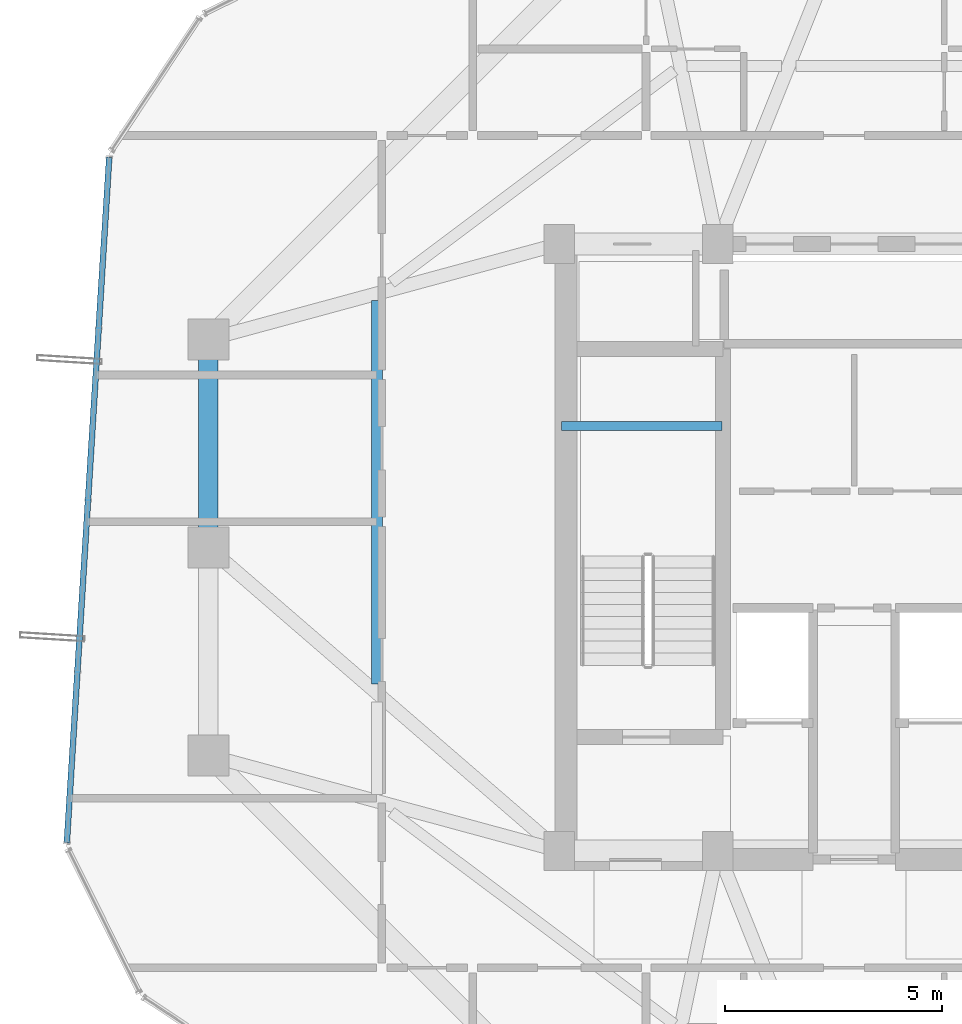
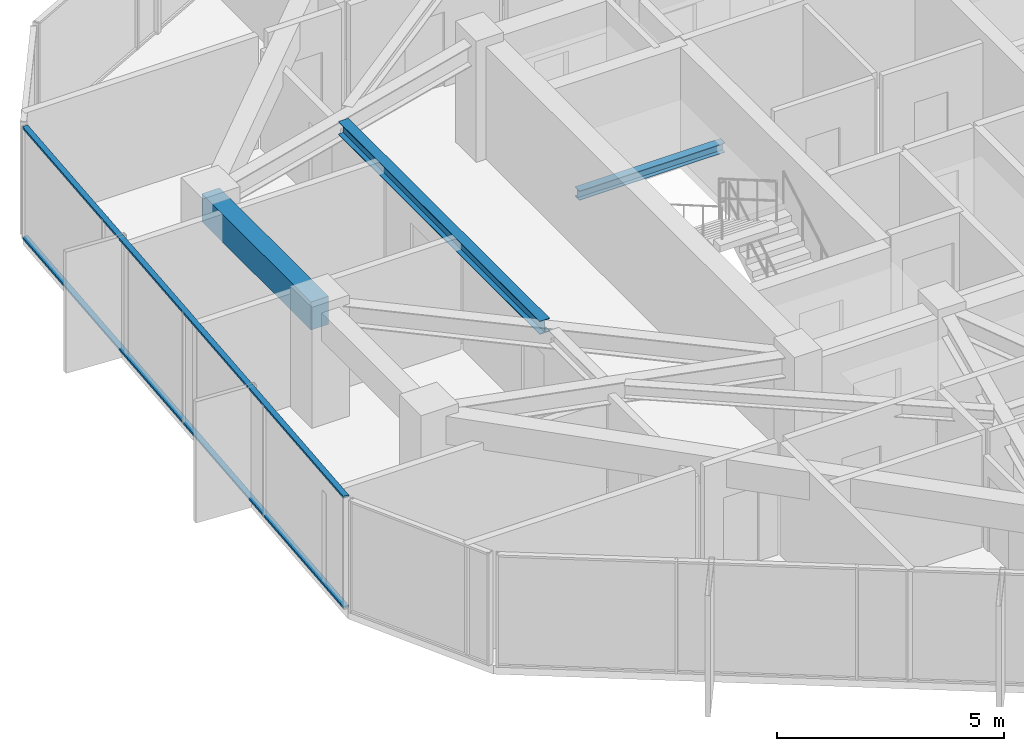
# One storey, part 11 of 29: 3 beams, 2 members, 1 element without a shape of its own.
"""IFC4 building model written with IfcOpenShell, lengths in metres."""

from ifc_helpers import new_model, si_unit, direction, frame, origin, origin_2d, place, context, subcontext, project, spatial, rectangle, hollow_rectangle, i_section, extrude, source, transform, mapped, material, layer, layer_set, material_profile, profile_set, type_object, element, aggregate, save


model = new_model("IFC4")

# Units and contexts
model_context = context("Model", 3, precision=1e-05, world=origin(), true_north=direction((0.0, 1.0)))
body_context = subcontext(model_context, "Body", "Model", "MODEL_VIEW")
ifc_project = project(units=[si_unit("LENGTHUNIT", "METRE"), si_unit("AREAUNIT", "SQUARE_METRE"), si_unit("VOLUMEUNIT", "CUBIC_METRE"), si_unit("PLANEANGLEUNIT", "RADIAN"), si_unit("MASSUNIT", "GRAM", prefix="KILO")], contexts=[model_context])

# Site, building, storey
site_placement = place(None, origin())
site = spatial("IfcSite", under=ifc_project, at=site_placement, CompositionType="ELEMENT")
building_placement = place(site_placement, origin())
building = spatial("IfcBuilding", under=site, at=building_placement, Name="Veraguas Prism Commons", CompositionType="ELEMENT")
storey_placement = place(building_placement, frame((0.0, 0.0, 218.89990234375)))
storey = spatial("IfcBuildingStorey", under=building, at=storey_placement, Name="L62", CompositionType="ELEMENT", Elevation=218.89990234375)

# Beams
ifc_material_1 = material(Name="Concrete C50/60", Category="concrete")
ifc_material_profile_1 = material_profile(ifc_material_1, rectangle(XDim=0.449951171875, YDim=0.75, at=origin_2d()), Name="RC450X750")
ifc_profile_set_1 = profile_set([ifc_material_profile_1], Name="Concrete C50/60")
beam_type_1 = type_object("IfcBeamType", Name="Perimeter Spandrel Upper RC 450x750", PredefinedType="SPANDREL", material=ifc_profile_set_1)
beam_1_placement = place(storey_placement, frame((9.10009765625, 28.800048828125, 2.64013671875), z_axis=(0.0, -1.0, 0.0), x_axis=(1.0, 0.0, 0.0)))
element("IfcBeam", 1, at=beam_1_placement, inside=storey, type_object=beam_type_1, Name="Perimeter Spandrel Beam L62-SP07", PredefinedType="SPANDREL", context=body_context, shape_type="SweptSolid", body=[
    extrude(rectangle(XDim=0.449951171875, YDim=0.75, at=origin_2d()), origin(), (0.0, 0.0, 1.0), 4.800048828125),
])
ifc_material_2 = material(Name="Steel ASTM A992 Grade 50", Category="steel")
ifc_material_profile_2 = material_profile(ifc_material_2, i_section(OverallWidth=0.202880859375, OverallDepth=0.251953125, WebThickness=0.008056640625, FlangeThickness=0.013427734375, at=origin_2d()), Name="W250X58")
ifc_profile_set_2 = profile_set([ifc_material_profile_2], Name="Steel ASTM A992 Grade 50")
beam_type_2 = type_object("IfcBeamType", Name="Structural Opening Lintel W250x58", PredefinedType="LINTEL", material=ifc_profile_set_2)
beam_2_placement = place(storey_placement, frame((17.25, 26.800048828125, 1.299072265625), z_axis=(1.0, 0.0, 0.0), x_axis=(0.0, 1.0, 0.0)))
element("IfcBeam", 2, at=beam_2_placement, inside=storey, type_object=beam_type_2, Name="Stair ST-01 Half-Landing Support Beam L62-1", PredefinedType="LINTEL", context=body_context, shape_type="SweptSolid", body=[
    extrude(i_section(OverallWidth=0.202880859375, OverallDepth=0.251953125, WebThickness=0.008056640625, FlangeThickness=0.013427734375, at=origin_2d()), origin(), (0.0, 0.0, 1.0), 3.699951171875),
])
ifc_material_profile_3 = material_profile(ifc_material_2, i_section(OverallWidth=0.25390625, OverallDepth=0.35302734375, WebThickness=0.009521484375, FlangeThickness=0.016357421875, at=origin_2d()), Name="W360X91")
ifc_profile_set_3 = profile_set([ifc_material_profile_3], Name="Steel ASTM A992 Grade 50")
beam_type_3 = type_object("IfcBeamType", Name="Upper Floor Joist W360x91", PredefinedType="JOIST", material=ifc_profile_set_3)
beam_3_placement = place(storey_placement, frame((12.988037109375, 29.697021484375, 2.838623046875), z_axis=(0.0, -1.0, 0.0), x_axis=(1.0, 0.0, 0.0)))
element("IfcBeam", 3, at=beam_3_placement, inside=storey, type_object=beam_type_3, Name="Composite Floor Joist L62-JS07", PredefinedType="JOIST", context=body_context, shape_type="SweptSolid", body=[
    extrude(i_section(OverallWidth=0.25390625, OverallDepth=0.35302734375, WebThickness=0.009521484375, FlangeThickness=0.016357421875, at=origin_2d()), origin(), (0.0, 0.0, 1.0), 8.85400390625),
])

# Curtain wall, members
ifc_material_3 = material(Name="Anodised aluminium EN AW-6063 T6", Category="aluminium")
ifc_layer = layer(ifc_material_3, 0.14990234375, Name="Unitised Flush Curtain Wall Zone 3", Category="aluminium")
ifc_layer_set = layer_set([ifc_layer], Name="Anodised aluminium EN AW-6063 T6")
curtain_wall_type = type_object("IfcCurtainWallType", Name="Unitised Flush Curtain Wall Zone 3", PredefinedType="NOTDEFINED", material=ifc_layer_set)
curtain_wall_placement = place(storey_placement, origin())
curtain_wall = element("IfcCurtainWall", 4, at=curtain_wall_placement, inside=storey, type_object=curtain_wall_type, Name="Tower Facade Curtain Wall L62-F3", PredefinedType="NOTDEFINED")
ifc_material_profile_4 = material_profile(ifc_material_3, hollow_rectangle(XDim=0.054931640625, YDim=0.135009765625, WallThickness=0.0029296875, at=origin_2d()), Name="AL55X135X3")
ifc_profile_set_4 = profile_set([ifc_material_profile_4], Name="Anodised aluminium EN AW-6063 T6")
member_type = type_object("IfcMemberType", Name="Curtain Wall Transom Standard AL 55x135x3", PredefinedType="USERDEFINED", material=ifc_profile_set_4)
shared_shape = source(origin(), body_context, "Body", "SweptSolid", [
    extrude(hollow_rectangle(XDim=0.054931640625, YDim=0.135009765625, WallThickness=0.0029296875, at=origin_2d()), origin(), (0.0, 0.0, 1.0), 15.842529296875),
])
member_1_placement = place(storey_placement, frame((6.812744140625, 32.999755859375, 0.027587890625), z_axis=(-0.061749861307, -0.998091656427, 0.0), x_axis=(0.0, 0.0, 1.0)))
member_1 = element("IfcMember", 5, at=member_1_placement, type_object=member_type, Name="CW-Z3 Transom 1", ObjectType="TRANSOM", PredefinedType="USERDEFINED", context=body_context, shape_type="MappedRepresentation", body=[
    mapped(shared_shape, transform((0.0, 0.0, 0.0), scale=1.0)),
])
member_2_placement = place(storey_placement, frame((6.812744140625, 32.999755859375, 2.987548828125), z_axis=(-0.061749861307, -0.998091656427, 0.0), x_axis=(0.0, 0.0, 1.0)))
member_2 = element("IfcMember", 6, at=member_2_placement, type_object=member_type, Name="CW-Z3 Transom 2", ObjectType="TRANSOM", PredefinedType="USERDEFINED", context=body_context, shape_type="MappedRepresentation", body=[
    mapped(shared_shape, transform((0.0, 0.0, 0.0), scale=1.0)),
])
aggregate(curtain_wall, [member_1, member_2])

save(model, "model.ifc")
